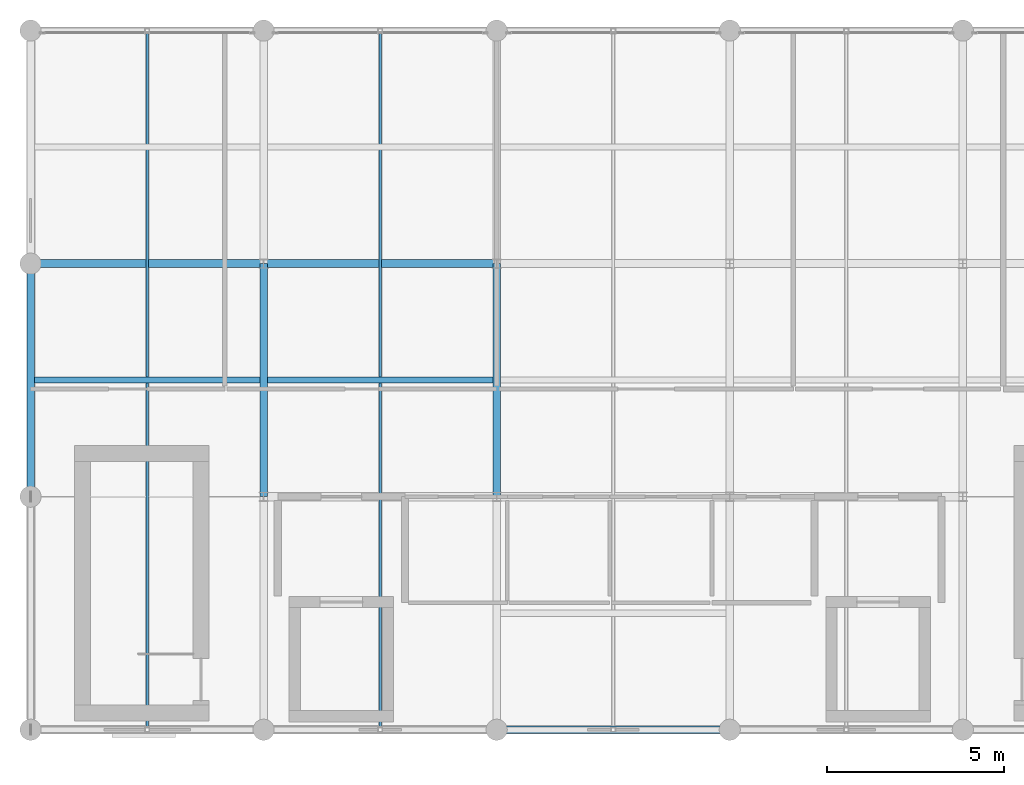
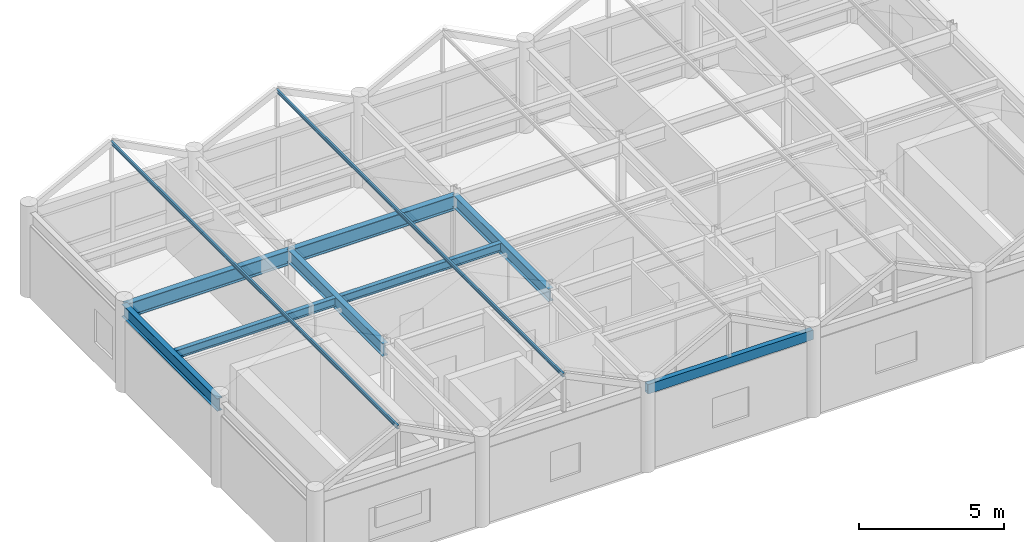
# One storey, part 4 of 21: 8 beams, 2 members.
"""IFC4 building model written with IfcOpenShell, lengths in metres."""

from ifc_helpers import new_model, si_unit, direction, frame, origin, origin_2d, place, context, subcontext, project, spatial, hollow_rectangle, i_section, extrude, material, material_profile, profile_set, type_object, element, save


model = new_model("IFC4")

# Units and contexts
model_context = context("Model", 3, precision=1e-05, world=origin(), true_north=direction((0.0, 1.0)))
body_context = subcontext(model_context, "Body", "Model", "MODEL_VIEW")
ifc_project = project(units=[si_unit("LENGTHUNIT", "METRE"), si_unit("AREAUNIT", "SQUARE_METRE"), si_unit("VOLUMEUNIT", "CUBIC_METRE"), si_unit("PLANEANGLEUNIT", "RADIAN"), si_unit("MASSUNIT", "GRAM", prefix="KILO")], contexts=[model_context])

# Site, building, storey
site_placement = place(None, origin())
site = spatial("IfcSite", under=ifc_project, at=site_placement, CompositionType="ELEMENT")
building_placement = place(site_placement, origin())
building = spatial("IfcBuilding", under=site, at=building_placement, Name="Karori Crest Natural Sciences Institute", CompositionType="ELEMENT")
storey_placement = place(building_placement, frame((0.0, 0.0, 42.0)))
storey = spatial("IfcBuildingStorey", under=building, at=storey_placement, Name="L10", CompositionType="ELEMENT", Elevation=42.0)

# Beams
ifc_material_1 = material(Name="Structural steel AS/NZS 3679.1 Grade 350", Category="steel")
ifc_material_profile_1 = material_profile(ifc_material_1, i_section(OverallWidth=0.22900390625, OverallDepth=0.612060546875, WebThickness=0.011962890625, FlangeThickness=0.01953125, FilletRadius=0.013916015625, at=origin_2d()), Name="610UB125")
ifc_profile_set_1 = profile_set([ifc_material_profile_1], Name="Structural steel AS/NZS 3679.1 Grade 350")
beam_type_1 = type_object("IfcBeamType", Name="BT-04", PredefinedType="BEAM", material=ifc_profile_set_1)
beam_1_placement = place(storey_placement, frame((103.60009765625, 14.0, 3.263916015625), z_axis=(1.0, 0.0, 0.0), x_axis=(0.0, 1.0, 0.0)))
element("IfcBeam", 1, at=beam_1_placement, inside=storey, type_object=beam_type_1, Name="Beam B-2837", PredefinedType="BEAM", context=body_context, shape_type="SweptSolid", body=[
    extrude(i_section(OverallWidth=0.22900390625, OverallDepth=0.612060546875, WebThickness=0.011962890625, FlangeThickness=0.01953125, FilletRadius=0.013916015625, at=origin_2d()), origin(), (0.0, 0.0, 1.0), 6.599853515625),
])
beam_2_placement = place(storey_placement, frame((110.199951171875, 14.0, 3.263916015625), z_axis=(1.0, 0.0, 0.0), x_axis=(0.0, 1.0, 0.0)))
element("IfcBeam", 2, at=beam_2_placement, inside=storey, type_object=beam_type_1, Name="Beam B-2838", PredefinedType="BEAM", context=body_context, shape_type="SweptSolid", body=[
    extrude(i_section(OverallWidth=0.22900390625, OverallDepth=0.612060546875, WebThickness=0.011962890625, FlangeThickness=0.01953125, FilletRadius=0.013916015625, at=origin_2d()), origin(), (0.0, 0.0, 1.0), 6.60009765625),
])
ifc_material_profile_2 = material_profile(ifc_material_1, i_section(OverallWidth=0.208984375, OverallDepth=0.532958984375, WebThickness=0.01025390625, FlangeThickness=0.015625, FilletRadius=0.013916015625, at=origin_2d()), Name="530UB92.4")
ifc_profile_set_2 = profile_set([ifc_material_profile_2], Name="Structural steel AS/NZS 3679.1 Grade 350")
beam_type_2 = type_object("IfcBeamType", Name="BT-05", PredefinedType="BEAM", material=ifc_profile_set_2)
for number, where, z_axis, x_axis, name in (
    (3, (110.199951171875, 7.39990234375, 3.303466796875), (0.0, 1.0, 0.0), (-1.0, 0.0, 0.0), "Beam B-2851"),
    (4, (116.800048828125, 7.39990234375, 3.303466796875), (0.0, 1.0, 0.0), (-1.0, 0.0, 0.0), "Beam B-2854"),
):
    element("IfcBeam", number, at=place(storey_placement, frame(where, z_axis=z_axis, x_axis=x_axis)), inside=storey, type_object=beam_type_2, Name=name, PredefinedType="BEAM", context=body_context, shape_type="SweptSolid", body=[
        extrude(i_section(OverallWidth=0.208984375, OverallDepth=0.532958984375, WebThickness=0.01025390625, FlangeThickness=0.015625, FilletRadius=0.013916015625, at=origin_2d()), origin(), (0.0, 0.0, 1.0), 6.60009765625),
    ])
ifc_material_profile_3 = material_profile(ifc_material_1, i_section(OverallWidth=0.208984375, OverallDepth=0.532958984375, WebThickness=0.01025390625, FlangeThickness=0.015625, FilletRadius=0.013916015625, at=origin_2d()), Name="530UB92.4")
ifc_profile_set_3 = profile_set([ifc_material_profile_3], Name="Structural steel AS/NZS 3679.1 Grade 350")
beam_type_3 = type_object("IfcBeamType", Name="BT-05-EL", PredefinedType="BEAM", material=ifc_profile_set_3)
beam_3_placement = place(storey_placement, frame((103.60009765625, 7.39990234375, 3.303466796875), z_axis=(0.0, 1.0, 0.0), x_axis=(-1.0, 0.0, 0.0)))
element("IfcBeam", 5, at=beam_3_placement, inside=storey, type_object=beam_type_3, Name="Beam B-2848", PredefinedType="BEAM", context=body_context, shape_type="SweptSolid", body=[
    extrude(i_section(OverallWidth=0.208984375, OverallDepth=0.532958984375, WebThickness=0.01025390625, FlangeThickness=0.015625, FilletRadius=0.013916015625, at=origin_2d()), origin(), (0.0, 0.0, 1.0), 6.60009765625),
])
ifc_material_profile_4 = material_profile(ifc_material_1, i_section(OverallWidth=0.172119140625, OverallDepth=0.35888671875, WebThickness=0.008056640625, FlangeThickness=0.012939453125, FilletRadius=0.010986328125, at=origin_2d()), Name="360UB56.7")
ifc_profile_set_4 = profile_set([ifc_material_profile_4], Name="Structural steel AS/NZS 3679.1 Grade 350")
beam_type_4 = type_object("IfcBeamType", Name="BT-08", PredefinedType="BEAM", material=ifc_profile_set_4)
beam_4_placement = place(storey_placement, frame((103.70458984375, 10.699951171875, 3.390380859375), z_axis=(1.0, 0.0, 0.0), x_axis=(0.0, 1.0, 0.0)))
element("IfcBeam", 6, at=beam_4_placement, inside=storey, type_object=beam_type_4, Name="Beam B-2865", PredefinedType="BEAM", context=body_context, shape_type="SweptSolid", body=[
    extrude(i_section(OverallWidth=0.172119140625, OverallDepth=0.35888671875, WebThickness=0.008056640625, FlangeThickness=0.012939453125, FilletRadius=0.010986328125, at=origin_2d()), origin(), (0.0, 0.0, 1.0), 6.390869140625),
])
beam_5_placement = place(storey_placement, frame((110.304443359375, 10.699951171875, 3.390380859375), z_axis=(1.0, 0.0, 0.0), x_axis=(0.0, 1.0, 0.0)))
element("IfcBeam", 7, at=beam_5_placement, inside=storey, type_object=beam_type_4, Name="Beam B-2867", PredefinedType="BEAM", context=body_context, shape_type="SweptSolid", body=[
    extrude(i_section(OverallWidth=0.172119140625, OverallDepth=0.35888671875, WebThickness=0.008056640625, FlangeThickness=0.012939453125, FilletRadius=0.010986328125, at=origin_2d()), origin(), (0.0, 0.0, 1.0), 6.39111328125),
])
ifc_material_2 = material(Name="Hollow structural steel AS/NZS 1163 Grade C350", Category="steel")
ifc_material_profile_5 = material_profile(ifc_material_2, hollow_rectangle(XDim=0.199951171875, YDim=0.39990234375, WallThickness=0.012451171875, at=origin_2d()), Name="RHS400x200x12.5")
ifc_profile_set_5 = profile_set([ifc_material_profile_5], Name="Hollow structural steel AS/NZS 1163 Grade C350")
beam_type_5 = type_object("IfcBeamType", Name="BT-14", PredefinedType="SPANDREL", material=ifc_profile_set_5)
beam_6_placement = place(storey_placement, frame((116.800048828125, 0.800048828125, 3.3701171875), z_axis=(1.0, 0.0, 0.0), x_axis=(0.0, 1.0, 0.0)))
element("IfcBeam", 8, at=beam_6_placement, inside=storey, type_object=beam_type_5, Name="Beam B-2831", PredefinedType="SPANDREL", context=body_context, shape_type="SweptSolid", body=[
    extrude(hollow_rectangle(XDim=0.199951171875, YDim=0.39990234375, WallThickness=0.012451171875, at=origin_2d()), origin(), (0.0, 0.0, 1.0), 6.599853515625),
])

# Members
ifc_material_profile_6 = material_profile(ifc_material_1, i_section(OverallWidth=0.074951171875, OverallDepth=0.155029296875, WebThickness=0.006103515625, FlangeThickness=0.009521484375, FilletRadius=0.008056640625, at=origin_2d()), Name="150UB18.0")
ifc_profile_set_6 = profile_set([ifc_material_profile_6], Name="Structural steel AS/NZS 3679.1 Grade 350")
member_type = type_object("IfcMemberType", Name="MT-10", PredefinedType="PURLIN", material=ifc_profile_set_6)
for number, where, z_axis, x_axis, name in (
    (9, (106.89990234375, 0.800048828125, 5.18994140625), (0.0, 1.0, 0.0), (-1.0, 0.0, 0.0), "Member M-0467"),
    (10, (113.5, 0.800048828125, 5.070068359375), (0.0, 1.0, 0.0), (-1.0, 0.0, 0.0), "Member M-0474"),
):
    element("IfcMember", number, at=place(storey_placement, frame(where, z_axis=z_axis, x_axis=x_axis)), inside=storey, type_object=member_type, Name=name, PredefinedType="PURLIN", context=body_context, shape_type="SweptSolid", body=[
        extrude(i_section(OverallWidth=0.074951171875, OverallDepth=0.155029296875, WebThickness=0.006103515625, FlangeThickness=0.009521484375, FilletRadius=0.008056640625, at=origin_2d()), origin(), (0.0, 0.0, 1.0), 19.800048828125),
    ])

save(model, "model.ifc")
